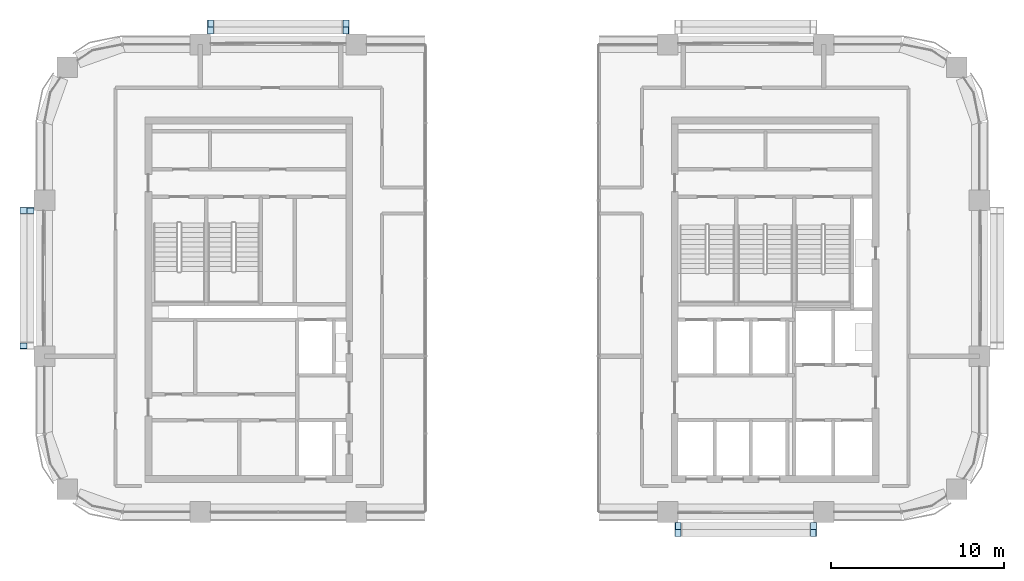
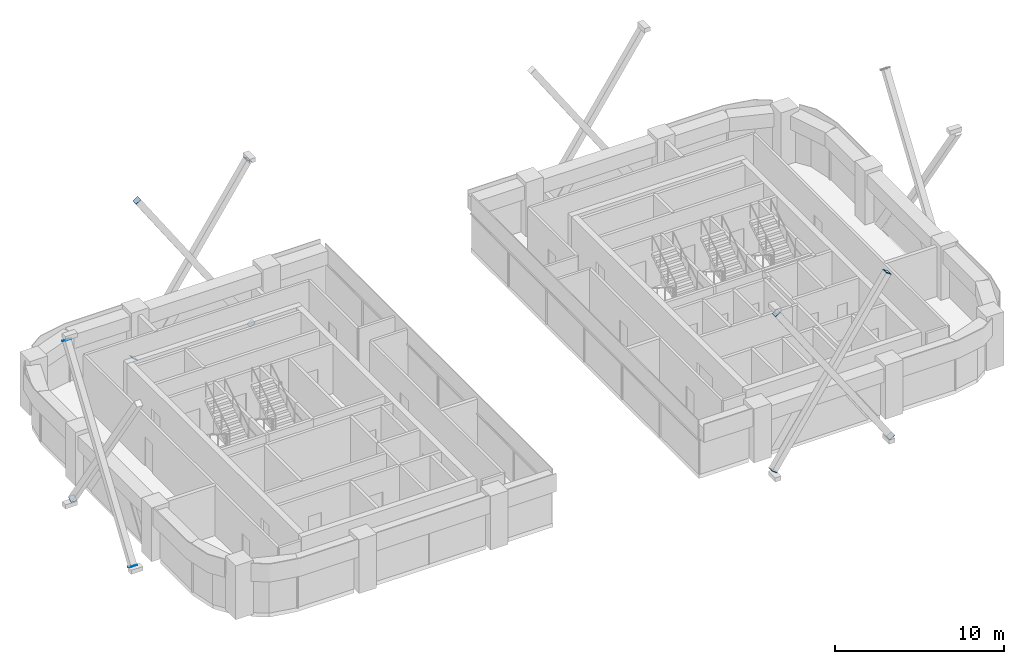
# One storey, part 7 of 14: 11 plates.
"""IFC4 building model written with IfcOpenShell, lengths in metres."""

from ifc_helpers import new_model, si_unit, direction, frame, origin, origin_2d, place, context, subcontext, project, spatial, rectangle, extrude, material, layer, layer_set, type_object, element, save


model = new_model("IFC4")

# Units and contexts
model_context = context("Model", 3, precision=1e-05, world=origin(), true_north=direction((0.0, 1.0)))
body_context = subcontext(model_context, "Body", "Model", "MODEL_VIEW")
ifc_project = project(units=[si_unit("LENGTHUNIT", "METRE"), si_unit("AREAUNIT", "SQUARE_METRE"), si_unit("VOLUMEUNIT", "CUBIC_METRE"), si_unit("PLANEANGLEUNIT", "RADIAN"), si_unit("MASSUNIT", "GRAM", prefix="KILO")], contexts=[model_context])

# Site, building, storey
site_placement = place(None, origin())
site = spatial("IfcSite", under=ifc_project, at=site_placement, CompositionType="ELEMENT")
building_placement = place(site_placement, origin())
building = spatial("IfcBuilding", under=site, at=building_placement, Name="Tessera Arch", CompositionType="ELEMENT")
storey_placement = place(building_placement, frame((0.0, 0.0, 215.0)))
storey = spatial("IfcBuildingStorey", under=building, at=storey_placement, Name="L51", CompositionType="ELEMENT", Elevation=215.0)

# Plates
ifc_material = material(Name="Steel A572 Gr50", Category="steel")
ifc_layer = layer(ifc_material, 0.02490234375)
ifc_layer_set = layer_set([ifc_layer], Name="End plate HSS16x16x5/8")
plate_type = type_object("IfcPlateType", Name="End plate HSS16x16x5/8", PredefinedType="SHEET", material=ifc_layer_set)
for number, where, z_axis, x_axis, name in (
    (1, (17.4140625, 54.80322265625, -0.82080078125), (-0.56363832993, 0.0, 0.826021690414), (0.0, -1.0, 0.0), "End plate HSS16x16x5/8 N54.0-1 A1 L51"),
    (2, (9.60009765625, 54.80322265625, 10.800048828125), (-0.56363832993, 0.0, 0.826021690414), (0.0, -1.0, 0.0), "End plate HSS16x16x5/8 N54.0-1 A2 L51"),
    (3, (9.5859375, 55.209716796875, -0.82080078125), (0.56363832993, 0.0, 0.826021690414), (0.0, 1.0, 0.0), "End plate HSS16x16x5/8 N54.0-1 B1 L51"),
    (4, (17.39990234375, 55.209716796875, 10.800048828125), (0.56363832993, 0.0, 0.826021690414), (0.0, 1.0, 0.0), "End plate HSS16x16x5/8 N54.0-1 B2 L51"),
    (5, (-0.80322265625, 44.4140625, -0.82080078125), (0.0, -0.56363832993, 0.826021690414), (1.0, 0.0, 0.0), "End plate HSS16x16x5/8 W0.27-1 A1 L51"),
    (6, (-1.209716796875, 36.5859375, -0.82080078125), (0.0, 0.56363832993, 0.826021690414), (-1.0, 0.0, 0.0), "End plate HSS16x16x5/8 W0.27-1 B1 L51"),
    (7, (-1.209716796875, 44.39990234375, 10.800048828125), (0.0, 0.56363832993, 0.826021690414), (-1.0, 0.0, 0.0), "End plate HSS16x16x5/8 W0.27-1 B2 L51"),
    (8, (36.5859375, 26.19677734375, -0.82080078125), (0.56363832993, 0.0, 0.826021690414), (0.0, 1.0, 0.0), "End plate HSS16x16x5/8 S27.32-1 A1 L51"),
    (9, (44.39990234375, 26.19677734375, 10.800048828125), (0.56363832993, 0.0, 0.826021690414), (0.0, 1.0, 0.0), "End plate HSS16x16x5/8 S27.32-1 A2 L51"),
    (10, (44.4140625, 25.790283203125, -0.82080078125), (-0.56363832993, 0.0, 0.826021690414), (0.0, -1.0, 0.0), "End plate HSS16x16x5/8 S27.32-1 B1 L51"),
    (11, (36.60009765625, 25.790283203125, 10.800048828125), (-0.56363832993, 0.0, 0.826021690414), (0.0, -1.0, 0.0), "End plate HSS16x16x5/8 S27.32-1 B2 L51"),
):
    element("IfcPlate", number, at=place(storey_placement, frame(where, z_axis=z_axis, x_axis=x_axis)), inside=storey, type_object=plate_type, Name=name, PredefinedType="SHEET", context=body_context, shape_type="SweptSolid", body=[
        extrude(rectangle(XDim=0.406494140625, YDim=0.406494140625, at=origin_2d()), origin(), (0.0, 0.0, 1.0), 0.025146484375),
    ])

save(model, "model.ifc")
